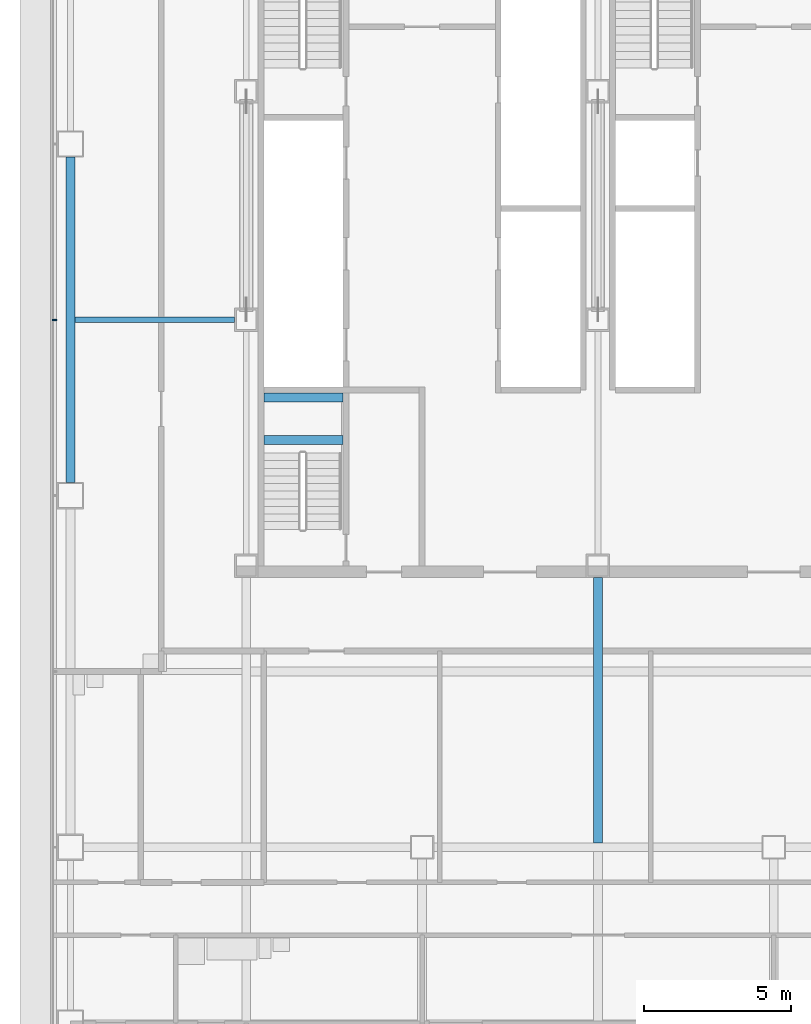
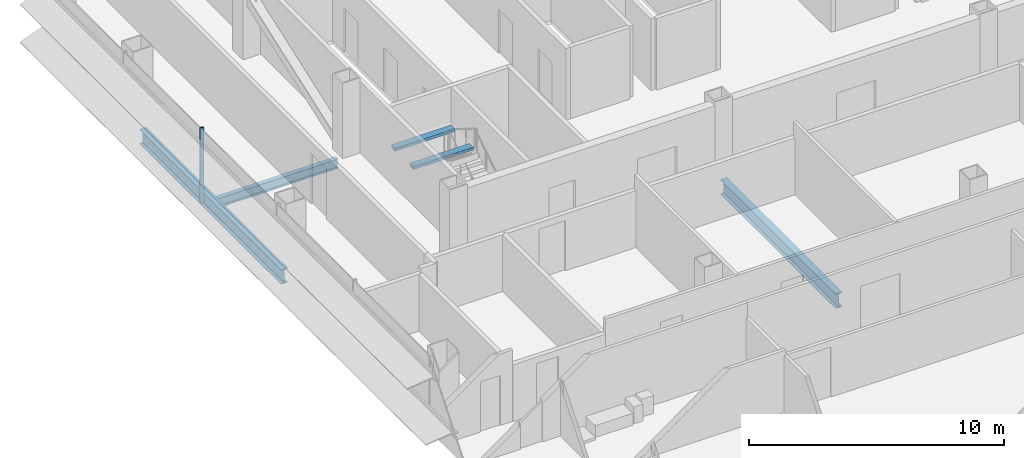
# One storey, part 6 of 27: 5 beams, 1 member, 1 element without a shape of its own.
"""IFC4 building model written with IfcOpenShell, lengths in metres."""

from ifc_helpers import new_model, si_unit, direction, frame, origin, origin_2d, place, context, subcontext, project, spatial, rectangle, i_section, extrude, material, material_profile, profile_set, type_object, element, aggregate, save


model = new_model("IFC4")

# Units and contexts
model_context = context("Model", 3, precision=1e-05, world=origin(), true_north=direction((0.0, 1.0)))
body_context = subcontext(model_context, "Body", "Model", "MODEL_VIEW")
ifc_project = project(units=[si_unit("LENGTHUNIT", "METRE"), si_unit("AREAUNIT", "SQUARE_METRE"), si_unit("VOLUMEUNIT", "CUBIC_METRE"), si_unit("PLANEANGLEUNIT", "RADIAN"), si_unit("MASSUNIT", "GRAM", prefix="KILO")], contexts=[model_context])

# Site, building, storey
site_placement = place(None, origin())
site = spatial("IfcSite", under=ifc_project, at=site_placement, CompositionType="ELEMENT")
building_placement = place(site_placement, origin())
building = spatial("IfcBuilding", under=site, at=building_placement, Name="Sorahane Residences", CompositionType="ELEMENT")
storey_placement = place(building_placement, frame((0.0, 0.0, 78.60009765625)))
storey = spatial("IfcBuildingStorey", under=building, at=storey_placement, Name="L16", CompositionType="ELEMENT", Elevation=78.60009765625)

# Curtain wall, member
ifc_material_1 = material(Name="Dark low-e glass and black anodised aluminium", Category="aluminium")
curtain_wall_type = type_object("IfcCurtainWallType", Name="Curtain wall CW-1 Typical unitised wall", PredefinedType="NOTDEFINED", material=ifc_material_1)
curtain_wall_placement = place(storey_placement, origin())
curtain_wall = element("IfcCurtainWall", 1, at=curtain_wall_placement, inside=storey, type_object=curtain_wall_type, Name="CW-1 curtain wall L16 W1", PredefinedType="NOTDEFINED")
ifc_material_2 = material(Name="Black anodised aluminium", Category="aluminium")
ifc_material_profile_1 = material_profile(ifc_material_2, rectangle(XDim=0.159912109375, YDim=0.050048828125, at=origin_2d()), Name="Curtain wall mullion CW-1 black anodised aluminium 50x160")
ifc_profile_set_1 = profile_set([ifc_material_profile_1], Name="Black anodised aluminium")
member_type = type_object("IfcMemberType", Name="Curtain wall mullion CW-1 black anodised aluminium 50x160", PredefinedType="MULLION", material=ifc_profile_set_1)
member_placement = place(storey_placement, frame((-0.5400390625, 30.0, -0.18017578125), z_axis=(0.0, 0.0, 1.0), x_axis=(-1.0, 0.0, 0.0)))
member = element("IfcMember", 2, at=member_placement, type_object=member_type, Name="CW-1 mullion L16 W1.3", PredefinedType="MULLION", context=body_context, shape_type="SweptSolid", body=[
    extrude(rectangle(XDim=0.159912109375, YDim=0.050048828125, at=origin_2d()), origin(), (0.0, 0.0, 1.0), 3.60009765625),
])
aggregate(curtain_wall, [member])

# Beams
ifc_material_3 = material(Name="Concrete C40", Category="concrete")
ifc_material_profile_2 = material_profile(ifc_material_3, rectangle(XDim=0.300048828125, YDim=0.139892578125, at=origin_2d()), Name="300x140")
ifc_profile_set_2 = profile_set([ifc_material_profile_2], Name="Concrete C40")
beam_type_1 = type_object("IfcBeamType", Name="RC landing beam 300 x 140 Concrete C40", PredefinedType="BEAM", material=ifc_profile_set_2)
for number, where, z_axis, x_axis, name in (
    (3, (6.60009765625, 25.89990234375, 1.52978515625), (1.0, 0.0, 0.0), (0.0, 1.0, 0.0), "Landing beam"),
    (4, (6.60009765625, 27.35009765625, 1.52978515625), (1.0, 0.0, 0.0), (0.0, 1.0, 0.0), "Landing beam"),
):
    element("IfcBeam", number, at=place(storey_placement, frame(where, z_axis=z_axis, x_axis=x_axis)), inside=storey, type_object=beam_type_1, Name=name, PredefinedType="BEAM", context=body_context, shape_type="SweptSolid", body=[
        extrude(rectangle(XDim=0.300048828125, YDim=0.139892578125, at=origin_2d()), origin(), (0.0, 0.0, 1.0), 2.699951171875),
    ])
ifc_material_4 = material(Name="Steel Q355B", Category="steel")
ifc_material_profile_3 = material_profile(ifc_material_4, i_section(OverallWidth=0.199951171875, OverallDepth=0.449951171875, WebThickness=0.009033203125, FlangeThickness=0.013916015625, FilletRadius=0.02001953125, at=origin_2d()), Name="HN 450x200x9x14")
ifc_profile_set_3 = profile_set([ifc_material_profile_3], Name="Steel Q355B")
beam_type_2 = type_object("IfcBeamType", Name="Steel floor beam HN 450x200x9x14 Q355B", PredefinedType="BEAM", material=ifc_profile_set_3)
beam_1_placement = place(storey_placement, frame((0.14990234375, 30.0, -0.405029296875), z_axis=(1.0, 0.0, 0.0), x_axis=(0.0, 1.0, 0.0)))
element("IfcBeam", 5, at=beam_1_placement, inside=storey, type_object=beam_type_2, Name="Beam L16 076", PredefinedType="BEAM", context=body_context, shape_type="SweptSolid", body=[
    extrude(i_section(OverallWidth=0.199951171875, OverallDepth=0.449951171875, WebThickness=0.009033203125, FlangeThickness=0.013916015625, FilletRadius=0.02001953125, at=origin_2d()), origin(), (0.0, 0.0, 1.0), 5.4501953125),
])
ifc_material_5 = material(Name="Steel Q355B", Category="steel")
ifc_material_profile_4 = material_profile(ifc_material_5, i_section(OverallWidth=0.300048828125, OverallDepth=0.699951171875, WebThickness=0.012939453125, FlangeThickness=0.02392578125, FilletRadius=0.028076171875, at=origin_2d()), Name="HN 700x300x13x24")
ifc_profile_set_4 = profile_set([ifc_material_profile_4], Name="Steel Q355B")
beam_type_3 = type_object("IfcBeamType", Name="Steel floor beam HN 700x300x13x24 Q355B", PredefinedType="BEAM", material=ifc_profile_set_4)
beam_2_placement = place(storey_placement, frame((0.0, 24.449951171875, -0.530029296875), z_axis=(0.0, 1.0, 0.0), x_axis=(-1.0, 0.0, 0.0)))
element("IfcBeam", 6, at=beam_2_placement, inside=storey, type_object=beam_type_3, Name="Beam L16 019", PredefinedType="BEAM", context=body_context, shape_type="SweptSolid", body=[
    extrude(i_section(OverallWidth=0.300048828125, OverallDepth=0.699951171875, WebThickness=0.012939453125, FlangeThickness=0.02392578125, FilletRadius=0.028076171875, at=origin_2d()), origin(), (0.0, 0.0, 1.0), 11.10009765625),
])
beam_3_placement = place(storey_placement, frame((18.0, 12.14990234375, -0.530029296875), z_axis=(0.0, 1.0, 0.0), x_axis=(-1.0, 0.0, 0.0)))
element("IfcBeam", 7, at=beam_3_placement, inside=storey, type_object=beam_type_3, Name="Beam L16 030", PredefinedType="BEAM", context=body_context, shape_type="SweptSolid", body=[
    extrude(i_section(OverallWidth=0.300048828125, OverallDepth=0.699951171875, WebThickness=0.012939453125, FlangeThickness=0.02392578125, FilletRadius=0.028076171875, at=origin_2d()), origin(), (0.0, 0.0, 1.0), 9.050048828125),
])

save(model, "model.ifc")
